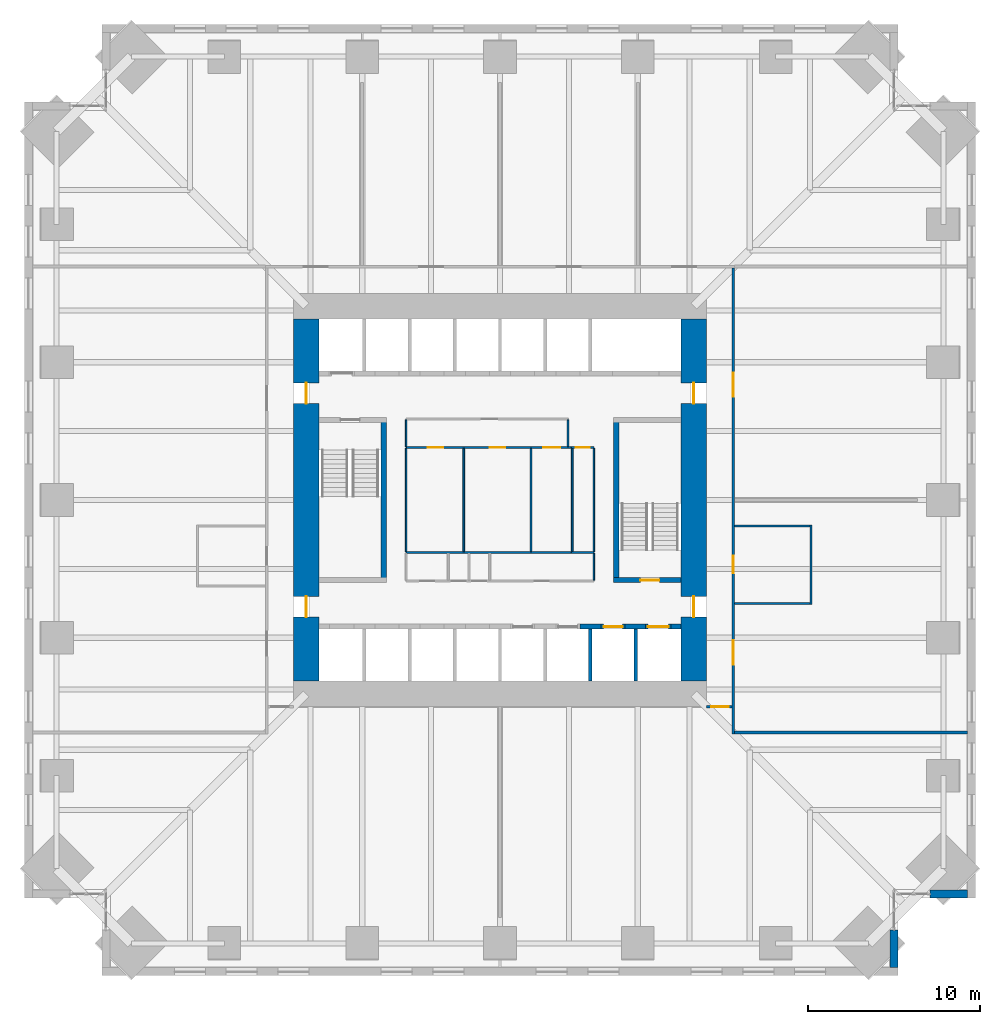
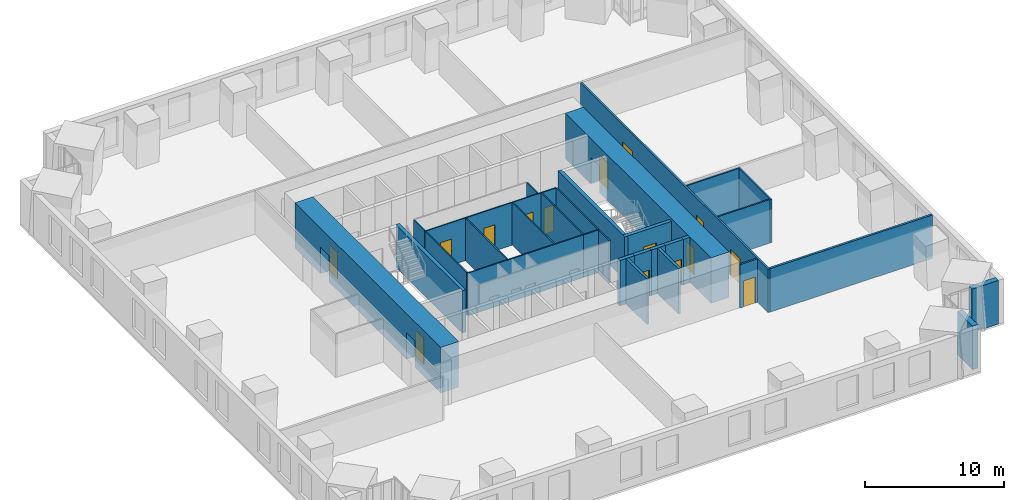
# One storey, part 13 of 16: 32 walls, 15 doors, 15 openings.
"""IFC4 building model written with IfcOpenShell, lengths in metres."""

from ifc_helpers import new_model, si_unit, direction, frame, frame_2d, origin, place, context, subcontext, project, spatial, rectangle, extrude, material, layer, layer_set, type_object, element, fill, save


model = new_model("IFC4")

# Units and contexts
model_context = context("Model", 3, precision=1e-05, world=origin(), true_north=direction((0.0, 1.0)))
body_context = subcontext(model_context, "Body", "Model", "MODEL_VIEW")
ifc_project = project(units=[si_unit("LENGTHUNIT", "METRE"), si_unit("AREAUNIT", "SQUARE_METRE"), si_unit("VOLUMEUNIT", "CUBIC_METRE"), si_unit("PLANEANGLEUNIT", "RADIAN"), si_unit("MASSUNIT", "GRAM", prefix="KILO")], contexts=[model_context])

# Site, building, storey
site_placement = place(None, origin())
site = spatial("IfcSite", under=ifc_project, at=site_placement, CompositionType="ELEMENT")
building_placement = place(site_placement, origin())
building = spatial("IfcBuilding", under=site, at=building_placement, Name="Peilmerk Tower", CompositionType="ELEMENT")
storey_placement = place(building_placement, frame((0.0, 0.0, 127.800048828125)))
storey = spatial("IfcBuildingStorey", under=building, at=storey_placement, Name="L25", CompositionType="ELEMENT", Elevation=127.800048828125)

# Walls
ifc_material_1 = material(Name="Precast concrete C45/55, board-marked finish", Category="concrete")
ifc_layer_1 = layer(ifc_material_1, 0.449951171875)
ifc_layer_set_1 = layer_set([ifc_layer_1], Name="Precast concrete C45/55, board-marked finish")
wall_type_1 = type_object("IfcWallType", Name="EW1 450 precast concrete facade wall, board-marked", PredefinedType="SOLIDWALL", material=ifc_layer_set_1)
for number, where, z_axis, x_axis, name in (
    (1, (22.875, -24.95361328125, 0.0), (0.0, 0.0, 1.0), (0.0, -1.0, 0.0), "Facade wall SEA L25"),
    (2, (24.95361328125, -22.875, 0.0), (0.0, 0.0, 1.0), (1.0, 0.0, 0.0), "Facade wall SEB L25"),
):
    element("IfcWall", number, at=place(storey_placement, frame(where, z_axis=z_axis, x_axis=x_axis)), inside=storey, type_object=wall_type_1, Name=name, PredefinedType="SOLIDWALL", context=body_context, shape_type="SweptSolid", body=[
        extrude(rectangle(XDim=2.1962890625, YDim=0.449951171875, at=frame_2d((1.09814453125, 0.0))), origin(), (0.0, 0.0, 1.0), 3.829833984375),
    ])

# Wall, openings, doors
ifc_material_2 = material(Name="Calcium silicate block", Category="masonry")
ifc_layer_2 = layer(ifc_material_2, 0.14990234375)
ifc_layer_set_2 = layer_set([ifc_layer_2], Name="Calcium silicate block")
wall_type_2 = type_object("IfcWallType", Name="IW1 150 corridor partition, EI 60", PredefinedType="PARTITIONING", material=ifc_layer_set_2)
wall_1_placement = place(storey_placement, frame((13.550048828125, -13.574951171875, 0.0), z_axis=(0.0, 0.0, 1.0), x_axis=(0.0, 1.0, 0.0)))
wall_1 = element("IfcWall", 3, at=wall_1_placement, inside=storey, type_object=wall_type_2, Name="Corridor wall E L25", PredefinedType="PARTITIONING", context=body_context, shape_type="SweptSolid", body=[
    extrude(rectangle(XDim=27.050048828125, YDim=0.14990234375, at=frame_2d((13.52490234375, 0.0))), origin(), (0.0, 0.0, 1.0), 3.829833984375),
])
opening_1_placement = place(wall_1_placement, frame((4.02490234375, 0.0, 0.0)))
opening_1 = element("IfcOpeningElement", 4, at=opening_1_placement, cuts=wall_1, Name="Opening D8", PredefinedType="OPENING", context=body_context, shape_type="SweptSolid", body=[
    extrude(rectangle(XDim=1.39990234375, YDim=2.300048828125, at=frame_2d((0.699951171875, 1.14990234375))), frame((0.0, 0.0849609375, 0.0), z_axis=(0.0, -1.0, 0.0), x_axis=(1.0, 0.0, 0.0)), (0.0, 0.0, 1.0), 0.169921875),
])
opening_2_placement = place(wall_1_placement, frame((19.574951171875, 0.0, 0.0)))
opening_2 = element("IfcOpeningElement", 5, at=opening_2_placement, cuts=wall_1, Name="Opening D8", PredefinedType="OPENING", context=body_context, shape_type="SweptSolid", body=[
    extrude(rectangle(XDim=1.39990234375, YDim=2.300048828125, at=frame_2d((0.699951171875, 1.14990234375))), frame((0.0, 0.0849609375, 0.0), z_axis=(0.0, -1.0, 0.0), x_axis=(1.0, 0.0, 0.0)), (0.0, 0.0, 1.0), 0.169921875),
])
opening_3_placement = place(wall_1_placement, frame((9.324951171875, 0.0, 0.0)))
opening_3 = element("IfcOpeningElement", 6, at=opening_3_placement, cuts=wall_1, Name="Opening D1", PredefinedType="OPENING", context=body_context, shape_type="SweptSolid", body=[
    extrude(rectangle(XDim=1.0, YDim=2.300048828125, at=frame_2d((0.5, 1.14990234375))), frame((0.0, 0.0849609375, 0.0), z_axis=(0.0, -1.0, 0.0), x_axis=(1.0, 0.0, 0.0)), (0.0, 0.0, 1.0), 0.169921875),
])
ifc_material_3 = material(Name="Timber door in steel frame", Category="steel")
door_type_1 = type_object("IfcDoorType", Name="D1 1000x2300 room door, EI2 30", OperationType="SINGLE_SWING_LEFT", PredefinedType="DOOR", material=ifc_material_3)
door_1_placement = place(opening_3_placement, frame((1.0, 0.0, 0.0), z_axis=(0.0, 0.0, 1.0), x_axis=(-1.0, 0.0, 0.0)))
door_1 = element("IfcDoor", 7, at=door_1_placement, inside=storey, type_object=door_type_1, Name="Door Meeting room L25", OperationType="SINGLE_SWING_LEFT", OverallHeight=2.300048828125, OverallWidth=1.0, PredefinedType="DOOR", context=body_context, shape_type="SweptSolid", body=[
    extrude(rectangle(XDim=1.0, YDim=2.300048828125, at=frame_2d((0.5, 1.14990234375))), frame((0.0, 0.02490234375, 0.0), z_axis=(0.0, -1.0, 0.0), x_axis=(1.0, 0.0, 0.0)), (0.0, 0.0, 1.0), 0.050048828125),
])
fill(opening_3, door_1)
door_type_2 = type_object("IfcDoorType", Name="D8 1400x2300 leaf-and-a-half door, EI2 30", OperationType="DOUBLE_DOOR_SINGLE_SWING", PredefinedType="DOOR", material=ifc_material_3)
door_2_placement = place(opening_1_placement, frame((1.39990234375, 0.0, 0.0), z_axis=(0.0, 0.0, 1.0), x_axis=(-1.0, 0.0, 0.0)))
door_2 = element("IfcDoor", 8, at=door_2_placement, inside=storey, type_object=door_type_2, Name="Door Tenant suite L25", OperationType="DOUBLE_DOOR_SINGLE_SWING", OverallHeight=2.300048828125, OverallWidth=1.39990234375, PredefinedType="DOOR", context=body_context, shape_type="SweptSolid", body=[
    extrude(rectangle(XDim=1.39990234375, YDim=2.300048828125, at=frame_2d((0.699951171875, 1.14990234375))), frame((0.0, 0.02490234375, 0.0), z_axis=(0.0, -1.0, 0.0), x_axis=(1.0, 0.0, 0.0)), (0.0, 0.0, 1.0), 0.050048828125),
])
fill(opening_1, door_2)
door_3_placement = place(opening_2_placement, frame((1.39990234375, 0.0, 0.0), z_axis=(0.0, 0.0, 1.0), x_axis=(-1.0, 0.0, 0.0)))
door_3 = element("IfcDoor", 9, at=door_3_placement, inside=storey, type_object=door_type_2, Name="Door Tenant suite L25", OperationType="DOUBLE_DOOR_SINGLE_SWING", OverallHeight=2.300048828125, OverallWidth=1.39990234375, PredefinedType="DOOR", context=body_context, shape_type="SweptSolid", body=[
    extrude(rectangle(XDim=1.39990234375, YDim=2.300048828125, at=frame_2d((0.699951171875, 1.14990234375))), frame((0.0, 0.02490234375, 0.0), z_axis=(0.0, -1.0, 0.0), x_axis=(1.0, 0.0, 0.0)), (0.0, 0.0, 1.0), 0.050048828125),
])
fill(opening_2, door_3)

# Wall, opening, door
wall_2_placement = place(storey_placement, frame((13.47509765625, -12.0, 0.0), z_axis=(0.0, 0.0, 1.0), x_axis=(-1.0, 0.0, 0.0)))
wall_2 = element("IfcWall", 10, at=wall_2_placement, inside=storey, type_object=wall_type_2, Name="Corridor wall SE L25", PredefinedType="PARTITIONING", context=body_context, shape_type="SweptSolid", body=[
    extrude(rectangle(XDim=1.47509765625, YDim=0.14990234375, at=frame_2d((0.737548828125, 0.0))), origin(), (0.0, 0.0, 1.0), 3.829833984375),
])
opening_4_placement = place(wall_2_placement, frame((0.199951171875, 0.0, 0.0)))
opening_4 = element("IfcOpeningElement", 11, at=opening_4_placement, cuts=wall_2, Name="Opening D1", PredefinedType="OPENING", context=body_context, shape_type="SweptSolid", body=[
    extrude(rectangle(XDim=1.0, YDim=2.300048828125, at=frame_2d((0.5, 1.14990234375))), frame((0.0, 0.0849609375, 0.0), z_axis=(0.0, -1.0, 0.0), x_axis=(1.0, 0.0, 0.0)), (0.0, 0.0, 1.0), 0.169921875),
])
door_4_placement = place(opening_4_placement, origin())
door_4 = element("IfcDoor", 12, at=door_4_placement, inside=storey, type_object=door_type_1, Name="Door Tenant suite L25", OperationType="SINGLE_SWING_LEFT", OverallHeight=2.300048828125, OverallWidth=1.0, PredefinedType="DOOR", context=body_context, shape_type="SweptSolid", body=[
    extrude(rectangle(XDim=1.0, YDim=2.300048828125, at=frame_2d((0.5, 1.14990234375))), frame((0.0, 0.02490234375, 0.0), z_axis=(0.0, -1.0, 0.0), x_axis=(1.0, 0.0, 0.0)), (0.0, 0.0, 1.0), 0.050048828125),
])
fill(opening_4, door_4)

# Walls
ifc_material_4 = material(Name="Concrete C35/45", Category="concrete")
ifc_layer_3 = layer(ifc_material_4, 0.300048828125)
ifc_layer_set_3 = layer_set([ifc_layer_3], Name="Concrete C35/45")
wall_type_3 = type_object("IfcWallType", Name="IW3 300 concrete stair enclosure wall, EI 120", PredefinedType="SOLIDWALL", material=ifc_layer_set_3)
for number, where, z_axis, x_axis, name in (
    (13, (-6.75, -4.800048828125, 0.0), (0.0, 0.0, 1.0), (0.0, 1.0, 0.0), "Stair 1 enclosure L25"),
    (14, (6.75, -4.800048828125, 0.0), (0.0, 0.0, 1.0), (0.0, 1.0, 0.0), "Stair 2 enclosure L25"),
):
    element("IfcWall", number, at=place(storey_placement, frame(where, z_axis=z_axis, x_axis=x_axis)), inside=storey, type_object=wall_type_3, Name=name, PredefinedType="SOLIDWALL", context=body_context, shape_type="SweptSolid", body=[
        extrude(rectangle(XDim=9.60009765625, YDim=0.300048828125, at=frame_2d((4.800048828125, 0.0))), origin(), (0.0, 0.0, 1.0), 3.75),
    ])

# Wall, opening, door
wall_3_placement = place(storey_placement, frame((10.5, -4.64990234375, 0.0), z_axis=(0.0, 0.0, 1.0), x_axis=(-1.0, 0.0, 0.0)))
wall_3 = element("IfcWall", 15, at=wall_3_placement, inside=storey, type_object=wall_type_3, Name="Stair 2 enclosure L25", PredefinedType="SOLIDWALL", context=body_context, shape_type="SweptSolid", body=[
    extrude(rectangle(XDim=3.89990234375, YDim=0.300048828125, at=frame_2d((1.949951171875, 0.0))), origin(), (0.0, 0.0, 1.0), 3.75),
])
opening_5_placement = place(wall_3_placement, frame((1.25, 0.0, 0.0)))
opening_5 = element("IfcOpeningElement", 16, at=opening_5_placement, cuts=wall_3, Name="Opening D4", PredefinedType="OPENING", context=body_context, shape_type="SweptSolid", body=[
    extrude(rectangle(XDim=1.10009765625, YDim=2.300048828125, at=frame_2d((0.550048828125, 1.14990234375))), frame((0.0, 0.159912109375, 0.0), z_axis=(0.0, -1.0, 0.0), x_axis=(1.0, 0.0, 0.0)), (0.0, 0.0, 1.0), 0.320068359375),
])
ifc_material_5 = material(Name="Steel door in steel frame", Category="steel")
door_type_3 = type_object("IfcDoorType", Name="D4 1100x2300 stair door, EI2 60", OperationType="SINGLE_SWING_RIGHT", PredefinedType="DOOR", material=ifc_material_5)
door_5_placement = place(opening_5_placement, frame((1.10009765625, 0.0, 0.0), z_axis=(0.0, 0.0, 1.0), x_axis=(-1.0, 0.0, 0.0)))
door_5 = element("IfcDoor", 17, at=door_5_placement, inside=storey, type_object=door_type_3, Name="Stair 2 door L25", OperationType="SINGLE_SWING_RIGHT", OverallHeight=2.300048828125, OverallWidth=1.10009765625, PredefinedType="DOOR", context=body_context, shape_type="SweptSolid", body=[
    extrude(rectangle(XDim=1.10009765625, YDim=2.300048828125, at=frame_2d((0.550048828125, 1.14990234375))), frame((0.0, 0.02490234375, 0.0), z_axis=(0.0, -1.0, 0.0), x_axis=(1.0, 0.0, 0.0)), (0.0, 0.0, 1.0), 0.050048828125),
])
fill(opening_5, door_5)

# Wall, openings, doors
ifc_material_6 = material(Name="Plasterboard on steel studs", Category="steel")
ifc_layer_4 = layer(ifc_material_6, 0.10009765625)
ifc_layer_set_4 = layer_set([ifc_layer_4], Name="Plasterboard on steel studs")
wall_type_4 = type_object("IfcWallType", Name="IW4 100 WC partition", PredefinedType="PARTITIONING", material=ifc_layer_set_4)
wall_4_placement = place(storey_placement, frame((-5.449951171875, 3.050048828125, 0.0), z_axis=(0.0, 0.0, 1.0), x_axis=(1.0, 0.0, 0.0)))
wall_4 = element("IfcWall", 18, at=wall_4_placement, inside=storey, type_object=wall_type_4, Name="WC wall L25", PredefinedType="PARTITIONING", context=body_context, shape_type="SweptSolid", body=[
    extrude(rectangle(XDim=9.599853515625, YDim=0.10009765625, at=frame_2d((4.7998046875, 0.0))), origin(), (0.0, 0.0, 1.0), 3.75),
])
opening_6_placement = place(wall_4_placement, frame((1.25, 0.0, 0.0)))
opening_6 = element("IfcOpeningElement", 19, at=opening_6_placement, cuts=wall_4, Name="Opening D5", PredefinedType="OPENING", context=body_context, shape_type="SweptSolid", body=[
    extrude(rectangle(XDim=0.89990234375, YDim=2.300048828125, at=frame_2d((0.449951171875, 1.14990234375))), frame((0.0, 0.06005859375, 0.0), z_axis=(0.0, -1.0, 0.0), x_axis=(1.0, 0.0, 0.0)), (0.0, 0.0, 1.0), 0.1201171875),
])
opening_7_placement = place(wall_4_placement, frame((4.85009765625, 0.0, 0.0)))
opening_7 = element("IfcOpeningElement", 20, at=opening_7_placement, cuts=wall_4, Name="Opening D5", PredefinedType="OPENING", context=body_context, shape_type="SweptSolid", body=[
    extrude(rectangle(XDim=0.89990234375, YDim=2.300048828125, at=frame_2d((0.449951171875, 1.14990234375))), frame((0.0, 0.06005859375, 0.0), z_axis=(0.0, -1.0, 0.0), x_axis=(1.0, 0.0, 0.0)), (0.0, 0.0, 1.0), 0.1201171875),
])
opening_8_placement = place(wall_4_placement, frame((7.949951171875, 0.0, 0.0)))
opening_8 = element("IfcOpeningElement", 21, at=opening_8_placement, cuts=wall_4, Name="Opening D6", PredefinedType="OPENING", context=body_context, shape_type="SweptSolid", body=[
    extrude(rectangle(XDim=1.0, YDim=2.300048828125, at=frame_2d((0.5, 1.14990234375))), frame((0.0, 0.06005859375, 0.0), z_axis=(0.0, -1.0, 0.0), x_axis=(1.0, 0.0, 0.0)), (0.0, 0.0, 1.0), 0.1201171875),
])
door_type_4 = type_object("IfcDoorType", Name="D5 900x2300 WC door", OperationType="SINGLE_SWING_LEFT", PredefinedType="DOOR", material=ifc_material_3)
door_6_placement = place(opening_6_placement, frame((0.89990234375, 0.0, 0.0), z_axis=(0.0, 0.0, 1.0), x_axis=(-1.0, 0.0, 0.0)))
door_6 = element("IfcDoor", 22, at=door_6_placement, inside=storey, type_object=door_type_4, Name="Female toilets door L25", OperationType="SINGLE_SWING_LEFT", OverallHeight=2.300048828125, OverallWidth=0.89990234375, PredefinedType="DOOR", context=body_context, shape_type="SweptSolid", body=[
    extrude(rectangle(XDim=0.89990234375, YDim=2.300048828125, at=frame_2d((0.449951171875, 1.14990234375))), frame((0.0, 0.02490234375, 0.0), z_axis=(0.0, -1.0, 0.0), x_axis=(1.0, 0.0, 0.0)), (0.0, 0.0, 1.0), 0.050048828125),
])
fill(opening_6, door_6)
door_7_placement = place(opening_7_placement, frame((0.89990234375, 0.0, 0.0), z_axis=(0.0, 0.0, 1.0), x_axis=(-1.0, 0.0, 0.0)))
door_7 = element("IfcDoor", 23, at=door_7_placement, inside=storey, type_object=door_type_4, Name="Male toilets door L25", OperationType="SINGLE_SWING_LEFT", OverallHeight=2.300048828125, OverallWidth=0.89990234375, PredefinedType="DOOR", context=body_context, shape_type="SweptSolid", body=[
    extrude(rectangle(XDim=0.89990234375, YDim=2.300048828125, at=frame_2d((0.449951171875, 1.14990234375))), frame((0.0, 0.02490234375, 0.0), z_axis=(0.0, -1.0, 0.0), x_axis=(1.0, 0.0, 0.0)), (0.0, 0.0, 1.0), 0.050048828125),
])
fill(opening_7, door_7)
door_type_5 = type_object("IfcDoorType", Name="D6 1000x2300 accessible WC door", OperationType="SLIDING_TO_LEFT", PredefinedType="DOOR", material=ifc_material_3)
door_8_placement = place(opening_8_placement, frame((1.0, 0.0, 0.0), z_axis=(0.0, 0.0, 1.0), x_axis=(-1.0, 0.0, 0.0)))
door_8 = element("IfcDoor", 24, at=door_8_placement, inside=storey, type_object=door_type_5, Name="Accessible WC door L25", OperationType="SLIDING_TO_LEFT", OverallHeight=2.300048828125, OverallWidth=1.0, PredefinedType="DOOR", context=body_context, shape_type="SweptSolid", body=[
    extrude(rectangle(XDim=1.0, YDim=2.300048828125, at=frame_2d((0.5, 1.14990234375))), frame((0.0, 0.02490234375, 0.0), z_axis=(0.0, -1.0, 0.0), x_axis=(1.0, 0.0, 0.0)), (0.0, 0.0, 1.0), 0.050048828125),
])
fill(opening_8, door_8)

# Walls
wall_5_placement = place(storey_placement, frame((4.14990234375, -3.050048828125, 0.0), z_axis=(0.0, 0.0, 1.0), x_axis=(-1.0, 0.0, 0.0)))
element("IfcWall", 25, at=wall_5_placement, inside=storey, type_object=wall_type_4, Name="WC wall L25", PredefinedType="PARTITIONING", context=body_context, shape_type="SweptSolid", body=[
    extrude(rectangle(XDim=9.599853515625, YDim=0.10009765625, at=frame_2d((4.7998046875, 0.0))), origin(), (0.0, 0.0, 1.0), 3.75),
])
for number, where, z_axis, x_axis, name in (
    (26, (-5.449951171875, -3.0, 0.0), (0.0, 0.0, 1.0), (0.0, 1.0, 0.0), "WC wall L25"),
    (27, (-2.10009765625, -3.0, 0.0), (0.0, 0.0, 1.0), (0.0, 1.0, 0.0), "WC wall L25"),
    (28, (1.800048828125, -3.0, 0.0), (0.0, 0.0, 1.0), (0.0, 1.0, 0.0), "WC wall L25"),
):
    element("IfcWall", number, at=place(storey_placement, frame(where, z_axis=z_axis, x_axis=x_axis)), inside=storey, type_object=wall_type_4, Name=name, PredefinedType="PARTITIONING", context=body_context, shape_type="SweptSolid", body=[
        extrude(rectangle(XDim=6.0, YDim=0.10009765625, at=frame_2d((3.0, 0.0))), origin(), (0.0, 0.0, 1.0), 3.75),
    ])

# Wall, opening, door
ifc_material_7 = material(Name="Calcium silicate board on steel studs", Category="steel")
ifc_layer_5 = layer(ifc_material_7, 0.10009765625)
ifc_layer_set_5 = layer_set([ifc_layer_5], Name="Calcium silicate board on steel studs")
wall_type_5 = type_object("IfcWallType", Name="IW5 100 riser enclosure wall, EI 60", PredefinedType="PARTITIONING", material=ifc_layer_set_5)
wall_6_placement = place(storey_placement, frame((4.14990234375, 3.050048828125, 0.0), z_axis=(0.0, 0.0, 1.0), x_axis=(1.0, 0.0, 0.0)))
wall_6 = element("IfcWall", 29, at=wall_6_placement, inside=storey, type_object=wall_type_5, Name="Riser wall L25", PredefinedType="PARTITIONING", context=body_context, shape_type="SweptSolid", body=[
    extrude(rectangle(XDim=1.300048828125, YDim=0.10009765625, at=frame_2d((0.64990234375, 0.0))), origin(), (0.0, 0.0, 1.0), 3.75),
])
opening_9_placement = place(wall_6_placement, frame((0.25, 0.0, 0.0)))
opening_9 = element("IfcOpeningElement", 30, at=opening_9_placement, cuts=wall_6, Name="Opening D7", PredefinedType="OPENING", context=body_context, shape_type="SweptSolid", body=[
    extrude(rectangle(XDim=0.800048828125, YDim=2.300048828125, at=frame_2d((0.39990234375, 1.14990234375))), frame((0.0, 0.06005859375, 0.0), z_axis=(0.0, -1.0, 0.0), x_axis=(1.0, 0.0, 0.0)), (0.0, 0.0, 1.0), 0.1201171875),
])
door_type_6 = type_object("IfcDoorType", Name="D7 800x2300 riser access door, EI2 60", OperationType="SINGLE_SWING_RIGHT", PredefinedType="DOOR", material=ifc_material_5)
door_9_placement = place(opening_9_placement, frame((0.800048828125, 0.0, 0.0), z_axis=(0.0, 0.0, 1.0), x_axis=(-1.0, 0.0, 0.0)))
door_9 = element("IfcDoor", 31, at=door_9_placement, inside=storey, type_object=door_type_6, Name="Plumbing riser door L25", OperationType="SINGLE_SWING_RIGHT", OverallHeight=2.300048828125, OverallWidth=0.800048828125, PredefinedType="DOOR", context=body_context, shape_type="SweptSolid", body=[
    extrude(rectangle(XDim=0.800048828125, YDim=2.300048828125, at=frame_2d((0.39990234375, 1.14990234375))), frame((0.0, 0.02490234375, 0.0), z_axis=(0.0, -1.0, 0.0), x_axis=(1.0, 0.0, 0.0)), (0.0, 0.0, 1.0), 0.050048828125),
])
fill(opening_9, door_9)

# Walls
wall_7_placement = place(storey_placement, frame((5.449951171875, -3.050048828125, 0.0), z_axis=(0.0, 0.0, 1.0), x_axis=(-1.0, 0.0, 0.0)))
element("IfcWall", 32, at=wall_7_placement, inside=storey, type_object=wall_type_5, Name="Riser wall L25", PredefinedType="PARTITIONING", context=body_context, shape_type="SweptSolid", body=[
    extrude(rectangle(XDim=1.300048828125, YDim=0.10009765625, at=frame_2d((0.64990234375, 0.0))), origin(), (0.0, 0.0, 1.0), 3.75),
])
for number, where, z_axis, x_axis, name in (
    (33, (5.449951171875, 3.0, 0.0), (0.0, 0.0, 1.0), (0.0, -1.0, 0.0), "Riser wall L25"),
    (34, (4.199951171875, -3.0, 0.0), (0.0, 0.0, 1.0), (0.0, 1.0, 0.0), "Riser wall L25"),
):
    element("IfcWall", number, at=place(storey_placement, frame(where, z_axis=z_axis, x_axis=x_axis)), inside=storey, type_object=wall_type_5, Name=name, PredefinedType="PARTITIONING", context=body_context, shape_type="SweptSolid", body=[
        extrude(rectangle(XDim=6.0, YDim=0.10009765625, at=frame_2d((3.0, 0.0))), origin(), (0.0, 0.0, 1.0), 3.75),
    ])
wall_8_placement = place(storey_placement, frame((5.449951171875, -3.10009765625, 0.0), z_axis=(0.0, 0.0, 1.0), x_axis=(0.0, -1.0, 0.0)))
element("IfcWall", 35, at=wall_8_placement, inside=storey, type_object=wall_type_5, Name="Riser wall L25", PredefinedType="PARTITIONING", context=body_context, shape_type="SweptSolid", body=[
    extrude(rectangle(XDim=1.5498046875, YDim=0.10009765625, at=frame_2d((0.77490234375, 0.0))), origin(), (0.0, 0.0, 1.0), 3.75),
])
ifc_material_8 = material(Name="Plasterboard on steel studs, double boarded with mineral wool", Category="steel")
ifc_layer_6 = layer(ifc_material_8, 0.125)
ifc_layer_set_6 = layer_set([ifc_layer_6], Name="Plasterboard on steel studs, double boarded with mineral wool")
wall_type_6 = type_object("IfcWallType", Name="IW7 125 acoustic partition, EI 30", PredefinedType="PARTITIONING", material=ifc_layer_set_6)
wall_9_placement = place(storey_placement, frame((18.050048828125, -6.0625, 0.0), z_axis=(0.0, 0.0, 1.0), x_axis=(0.0, 1.0, 0.0)))
element("IfcWall", 36, at=wall_9_placement, inside=storey, type_object=wall_type_6, Name="Acoustic partition Meeting room L25", PredefinedType="PARTITIONING", context=body_context, shape_type="SweptSolid", body=[
    extrude(rectangle(XDim=4.625, YDim=0.125, at=frame_2d((2.3125, 0.0))), origin(), (0.0, 0.0, 1.0), 3.829833984375),
])
for number, where, z_axis, x_axis, name in (
    (37, (13.625, -6.0, 0.0), (0.0, 0.0, 1.0), (1.0, 0.0, 0.0), "Acoustic partition Meeting room L25"),
    (38, (13.625, -1.5, 0.0), (0.0, 0.0, 1.0), (1.0, 0.0, 0.0), "Acoustic partition Meeting room L25"),
):
    element("IfcWall", number, at=place(storey_placement, frame(where, z_axis=z_axis, x_axis=x_axis)), inside=storey, type_object=wall_type_6, Name=name, PredefinedType="PARTITIONING", context=body_context, shape_type="SweptSolid", body=[
        extrude(rectangle(XDim=4.362548828125, YDim=0.125, at=frame_2d((2.18115234375, 0.0))), origin(), (0.0, 0.0, 1.0), 3.829833984375),
    ])
ifc_layer_7 = layer(ifc_material_2, 0.175048828125)
ifc_layer_set_7 = layer_set([ifc_layer_7], Name="Calcium silicate block")
wall_type_7 = type_object("IfcWallType", Name="IW8 175 tenant separating wall, EI 60", PredefinedType="PARTITIONING", material=ifc_layer_set_7)
wall_10_placement = place(storey_placement, frame((27.14990234375, -13.5, 0.0), z_axis=(0.0, 0.0, 1.0), x_axis=(-1.0, 0.0, 0.0)))
element("IfcWall", 39, at=wall_10_placement, inside=storey, type_object=wall_type_7, Name="Tenant separating wall SE L25", PredefinedType="PARTITIONING", context=body_context, shape_type="SweptSolid", body=[
    extrude(rectangle(XDim=13.52490234375, YDim=0.175048828125, at=frame_2d((6.762451171875, 0.0))), origin(), (0.0, 0.0, 1.0), 3.829833984375),
])
ifc_material_9 = material(Name="Fire-resisting plasterboard on steel studs", Category="steel")
ifc_layer_8 = layer(ifc_material_9, 0.10009765625)
ifc_layer_set_8 = layer_set([ifc_layer_8], Name="Fire-resisting plasterboard on steel studs")
wall_type_8 = type_object("IfcWallType", Name="IW9 100 WC lobby wall, EI 30", PredefinedType="PARTITIONING", material=ifc_layer_set_8)
for number, where, z_axis, x_axis, name in (
    (40, (-5.449951171875, 3.10009765625, 0.0), (0.0, 0.0, 1.0), (0.0, 1.0, 0.0), "WC lobby wall L25"),
    (41, (3.949951171875, 3.10009765625, 0.0), (0.0, 0.0, 1.0), (0.0, 1.0, 0.0), "WC lobby wall L25"),
):
    element("IfcWall", number, at=place(storey_placement, frame(where, z_axis=z_axis, x_axis=x_axis)), inside=storey, type_object=wall_type_8, Name=name, PredefinedType="PARTITIONING", context=body_context, shape_type="SweptSolid", body=[
        extrude(rectangle(XDim=1.5498046875, YDim=0.10009765625, at=frame_2d((0.77490234375, 0.0))), origin(), (0.0, 0.0, 1.0), 3.75),
    ])
ifc_layer_9 = layer(ifc_material_2, 0.199951171875)
ifc_layer_set_9 = layer_set([ifc_layer_9], Name="Calcium silicate block")
wall_type_9 = type_object("IfcWallType", Name="SH1 200 shaft dividing wall, EI 120", PredefinedType="PARTITIONING", material=ifc_layer_set_9)
for number, where, z_axis, x_axis, name in (
    (42, (5.25, -10.5, 0.0), (0.0, 0.0, 1.0), (0.0, 1.0, 0.0), "Shaft wall S B2 L25"),
    (43, (7.875, -10.5, 0.0), (0.0, 0.0, 1.0), (0.0, 1.0, 0.0), "Shaft wall S B1 L25"),
):
    element("IfcWall", number, at=place(storey_placement, frame(where, z_axis=z_axis, x_axis=x_axis)), inside=storey, type_object=wall_type_9, Name=name, PredefinedType="PARTITIONING", context=body_context, shape_type="SweptSolid", body=[
        extrude(rectangle(XDim=3.0, YDim=0.199951171875, at=frame_2d((1.5, 0.0))), origin(), (0.0, 0.0, 1.0), 4.0),
    ])

# Wall, opening, door
ifc_layer_10 = layer(ifc_material_2, 0.300048828125)
ifc_layer_set_10 = layer_set([ifc_layer_10], Name="Calcium silicate block")
wall_type_10 = type_object("IfcWallType", Name="SH2 300 lift landing door panel, EI 120", PredefinedType="PARTITIONING", material=ifc_layer_set_10)
wall_11_placement = place(storey_placement, frame((5.862548828125, -7.35009765625, 0.0), z_axis=(0.0, 0.0, 1.0), x_axis=(1.0, 0.0, 0.0)))
wall_11 = element("IfcWall", 44, at=wall_11_placement, inside=storey, type_object=wall_type_10, Name="Lift door panel S B1 L25", PredefinedType="PARTITIONING", context=body_context, shape_type="SweptSolid", body=[
    extrude(rectangle(XDim=1.39990234375, YDim=0.300048828125, at=frame_2d((0.699951171875, 0.0))), origin(), (0.0, 0.0, 1.0), 4.0),
])
opening_10_placement = place(wall_11_placement, frame((0.14990234375, 0.0, 0.0)))
opening_10 = element("IfcOpeningElement", 45, at=opening_10_placement, cuts=wall_11, Name="Opening LD1", PredefinedType="OPENING", context=body_context, shape_type="SweptSolid", body=[
    extrude(rectangle(XDim=1.10009765625, YDim=2.300048828125, at=frame_2d((0.550048828125, 1.14990234375))), frame((0.0, 0.159912109375, 0.0), z_axis=(0.0, -1.0, 0.0), x_axis=(1.0, 0.0, 0.0)), (0.0, 0.0, 1.0), 0.320068359375),
])
ifc_material_10 = material(Name="Stainless steel landing door", Category="steel")
door_type_7 = type_object("IfcDoorType", Name="LD1 1100x2300 lift landing door, sliding, EI2 60", OperationType="SLIDING_TO_LEFT", PredefinedType="DOOR", material=ifc_material_10)
door_10_placement = place(opening_10_placement, origin())
door_10 = element("IfcDoor", 46, at=door_10_placement, inside=storey, type_object=door_type_7, Name="Lift landing door B1 L25", OperationType="SLIDING_TO_LEFT", OverallHeight=2.300048828125, OverallWidth=1.10009765625, PredefinedType="DOOR", context=body_context, shape_type="SweptSolid", body=[
    extrude(rectangle(XDim=1.10009765625, YDim=2.300048828125, at=frame_2d((0.550048828125, 1.14990234375))), frame((0.0, 0.02490234375, 0.0), z_axis=(0.0, -1.0, 0.0), x_axis=(1.0, 0.0, 0.0)), (0.0, 0.0, 1.0), 0.050048828125),
])
fill(opening_10, door_10)

wall_12_placement = place(storey_placement, frame((8.4375, -7.35009765625, 0.0), z_axis=(0.0, 0.0, 1.0), x_axis=(1.0, 0.0, 0.0)))
wall_12 = element("IfcWall", 47, at=wall_12_placement, inside=storey, type_object=wall_type_10, Name="Lift door panel S FL2 L25", PredefinedType="PARTITIONING", context=body_context, shape_type="SweptSolid", body=[
    extrude(rectangle(XDim=1.5, YDim=0.300048828125, at=frame_2d((0.75, 0.0))), origin(), (0.0, 0.0, 1.0), 4.0),
])
opening_11_placement = place(wall_12_placement, frame((0.14990234375, 0.0, 0.0)))
opening_11 = element("IfcOpeningElement", 48, at=opening_11_placement, cuts=wall_12, Name="Opening LD2", PredefinedType="OPENING", context=body_context, shape_type="SweptSolid", body=[
    extrude(rectangle(XDim=1.199951171875, YDim=2.300048828125, at=frame_2d((0.60009765625, 1.14990234375))), frame((0.0, 0.159912109375, 0.0), z_axis=(0.0, -1.0, 0.0), x_axis=(1.0, 0.0, 0.0)), (0.0, 0.0, 1.0), 0.320068359375),
])
door_type_8 = type_object("IfcDoorType", Name="LD2 1200x2300 lift landing door, sliding, EI2 60", OperationType="SLIDING_TO_LEFT", PredefinedType="DOOR", material=ifc_material_10)
door_11_placement = place(opening_11_placement, origin())
door_11 = element("IfcDoor", 49, at=door_11_placement, inside=storey, type_object=door_type_8, Name="Lift landing door FL2 L25", OperationType="SLIDING_TO_LEFT", OverallHeight=2.300048828125, OverallWidth=1.199951171875, PredefinedType="DOOR", context=body_context, shape_type="SweptSolid", body=[
    extrude(rectangle(XDim=1.199951171875, YDim=2.300048828125, at=frame_2d((0.60009765625, 1.14990234375))), frame((0.0, 0.02490234375, 0.0), z_axis=(0.0, -1.0, 0.0), x_axis=(1.0, 0.0, 0.0)), (0.0, 0.0, 1.0), 0.050048828125),
])
fill(opening_11, door_11)

# Wall, openings, doors
ifc_material_11 = material(Name="Concrete C55/67", Category="concrete")
ifc_layer_11 = layer(ifc_material_11, 1.5)
ifc_layer_set_11 = layer_set([ifc_layer_11], Name="Concrete C55/67")
wall_type_11 = type_object("IfcWallType", Name="SW1 1500 core wall", PredefinedType="SHEAR", material=ifc_layer_set_11)
wall_13_placement = place(storey_placement, frame((11.25, 10.5, 0.0), z_axis=(0.0, 0.0, 1.0), x_axis=(0.0, -1.0, 0.0)))
wall_13 = element("IfcWall", 50, at=wall_13_placement, inside=storey, type_object=wall_type_11, Name="Core wall E L25", PredefinedType="SHEAR", context=body_context, shape_type="SweptSolid", body=[
    extrude(rectangle(XDim=21.0, YDim=1.5, at=frame_2d((10.5, 0.0))), origin(), (0.0, 0.0, 1.0), 4.0),
])
opening_12_placement = place(wall_13_placement, frame((3.699951171875, 0.0, 0.0)))
opening_12 = element("IfcOpeningElement", 51, at=opening_12_placement, cuts=wall_13, Name="Opening D3", PredefinedType="OPENING", context=body_context, shape_type="SweptSolid", body=[
    extrude(rectangle(XDim=1.199951171875, YDim=2.300048828125, at=frame_2d((0.60009765625, 1.14990234375))), frame((0.0, 0.760009765625, 0.0), z_axis=(0.0, -1.0, 0.0), x_axis=(1.0, 0.0, 0.0)), (0.0, 0.0, 1.0), 1.52001953125),
])
opening_13_placement = place(wall_13_placement, frame((16.10009765625, 0.0, 0.0)))
opening_13 = element("IfcOpeningElement", 52, at=opening_13_placement, cuts=wall_13, Name="Opening D3", PredefinedType="OPENING", context=body_context, shape_type="SweptSolid", body=[
    extrude(rectangle(XDim=1.199951171875, YDim=2.300048828125, at=frame_2d((0.60009765625, 1.14990234375))), frame((0.0, 0.760009765625, 0.0), z_axis=(0.0, -1.0, 0.0), x_axis=(1.0, 0.0, 0.0)), (0.0, 0.0, 1.0), 1.52001953125),
])
door_type_9 = type_object("IfcDoorType", Name="D3 1200x2300 core door, EI2 60", OperationType="SINGLE_SWING_LEFT", PredefinedType="DOOR", material=ifc_material_5)
door_12_placement = place(opening_12_placement, frame((1.199951171875, 0.0, 0.0), z_axis=(0.0, 0.0, 1.0), x_axis=(-1.0, 0.0, 0.0)))
door_12 = element("IfcDoor", 53, at=door_12_placement, inside=storey, type_object=door_type_9, Name="Core door L25", OperationType="SINGLE_SWING_LEFT", OverallHeight=2.300048828125, OverallWidth=1.199951171875, PredefinedType="DOOR", context=body_context, shape_type="SweptSolid", body=[
    extrude(rectangle(XDim=1.199951171875, YDim=2.300048828125, at=frame_2d((0.60009765625, 1.14990234375))), frame((0.0, 0.02490234375, 0.0), z_axis=(0.0, -1.0, 0.0), x_axis=(1.0, 0.0, 0.0)), (0.0, 0.0, 1.0), 0.050048828125),
])
fill(opening_12, door_12)
door_13_placement = place(opening_13_placement, frame((1.199951171875, 0.0, 0.0), z_axis=(0.0, 0.0, 1.0), x_axis=(-1.0, 0.0, 0.0)))
door_13 = element("IfcDoor", 54, at=door_13_placement, inside=storey, type_object=door_type_9, Name="Core door L25", OperationType="SINGLE_SWING_LEFT", OverallHeight=2.300048828125, OverallWidth=1.199951171875, PredefinedType="DOOR", context=body_context, shape_type="SweptSolid", body=[
    extrude(rectangle(XDim=1.199951171875, YDim=2.300048828125, at=frame_2d((0.60009765625, 1.14990234375))), frame((0.0, 0.02490234375, 0.0), z_axis=(0.0, -1.0, 0.0), x_axis=(1.0, 0.0, 0.0)), (0.0, 0.0, 1.0), 0.050048828125),
])
fill(opening_13, door_13)

wall_14_placement = place(storey_placement, frame((-11.25, -10.5, 0.0), z_axis=(0.0, 0.0, 1.0), x_axis=(0.0, 1.0, 0.0)))
wall_14 = element("IfcWall", 55, at=wall_14_placement, inside=storey, type_object=wall_type_11, Name="Core wall W L25", PredefinedType="SHEAR", context=body_context, shape_type="SweptSolid", body=[
    extrude(rectangle(XDim=21.0, YDim=1.5, at=frame_2d((10.5, 0.0))), origin(), (0.0, 0.0, 1.0), 4.0),
])
opening_14_placement = place(wall_14_placement, frame((16.10009765625, 0.0, 0.0)))
opening_14 = element("IfcOpeningElement", 56, at=opening_14_placement, cuts=wall_14, Name="Opening D3", PredefinedType="OPENING", context=body_context, shape_type="SweptSolid", body=[
    extrude(rectangle(XDim=1.199951171875, YDim=2.300048828125, at=frame_2d((0.60009765625, 1.14990234375))), frame((0.0, 0.760009765625, 0.0), z_axis=(0.0, -1.0, 0.0), x_axis=(1.0, 0.0, 0.0)), (0.0, 0.0, 1.0), 1.52001953125),
])
opening_15_placement = place(wall_14_placement, frame((3.699951171875, 0.0, 0.0)))
opening_15 = element("IfcOpeningElement", 57, at=opening_15_placement, cuts=wall_14, Name="Opening D3", PredefinedType="OPENING", context=body_context, shape_type="SweptSolid", body=[
    extrude(rectangle(XDim=1.199951171875, YDim=2.300048828125, at=frame_2d((0.60009765625, 1.14990234375))), frame((0.0, 0.760009765625, 0.0), z_axis=(0.0, -1.0, 0.0), x_axis=(1.0, 0.0, 0.0)), (0.0, 0.0, 1.0), 1.52001953125),
])
door_14_placement = place(opening_14_placement, frame((1.199951171875, 0.0, 0.0), z_axis=(0.0, 0.0, 1.0), x_axis=(-1.0, 0.0, 0.0)))
door_14 = element("IfcDoor", 58, at=door_14_placement, inside=storey, type_object=door_type_9, Name="Core door L25", OperationType="SINGLE_SWING_LEFT", OverallHeight=2.300048828125, OverallWidth=1.199951171875, PredefinedType="DOOR", context=body_context, shape_type="SweptSolid", body=[
    extrude(rectangle(XDim=1.199951171875, YDim=2.300048828125, at=frame_2d((0.60009765625, 1.14990234375))), frame((0.0, 0.02490234375, 0.0), z_axis=(0.0, -1.0, 0.0), x_axis=(1.0, 0.0, 0.0)), (0.0, 0.0, 1.0), 0.050048828125),
])
fill(opening_14, door_14)
door_15_placement = place(opening_15_placement, frame((1.199951171875, 0.0, 0.0), z_axis=(0.0, 0.0, 1.0), x_axis=(-1.0, 0.0, 0.0)))
door_15 = element("IfcDoor", 59, at=door_15_placement, inside=storey, type_object=door_type_9, Name="Core door L25", OperationType="SINGLE_SWING_LEFT", OverallHeight=2.300048828125, OverallWidth=1.199951171875, PredefinedType="DOOR", context=body_context, shape_type="SweptSolid", body=[
    extrude(rectangle(XDim=1.199951171875, YDim=2.300048828125, at=frame_2d((0.60009765625, 1.14990234375))), frame((0.0, 0.02490234375, 0.0), z_axis=(0.0, -1.0, 0.0), x_axis=(1.0, 0.0, 0.0)), (0.0, 0.0, 1.0), 0.050048828125),
])
fill(opening_15, door_15)

# Walls
ifc_layer_12 = layer(ifc_material_11, 0.300048828125)
ifc_layer_set_12 = layer_set([ifc_layer_12], Name="Concrete C55/67")
wall_type_12 = type_object("IfcWallType", Name="SW2 300 lift bank pier", PredefinedType="SHEAR", material=ifc_layer_set_12)
wall_15_placement = place(storey_placement, frame((4.637451171875, -7.35009765625, 0.0), z_axis=(0.0, 0.0, 1.0), x_axis=(1.0, 0.0, 0.0)))
element("IfcWall", 60, at=wall_15_placement, inside=storey, type_object=wall_type_12, Name="Lift bank pier S L25", PredefinedType="SHEAR", context=body_context, shape_type="SweptSolid", body=[
    extrude(rectangle(XDim=1.22509765625, YDim=0.300048828125, at=frame_2d((0.612548828125, 0.0))), origin(), (0.0, 0.0, 1.0), 4.0),
])
wall_16_placement = place(storey_placement, frame((7.262451171875, -7.35009765625, 0.0), z_axis=(0.0, 0.0, 1.0), x_axis=(1.0, 0.0, 0.0)))
element("IfcWall", 61, at=wall_16_placement, inside=storey, type_object=wall_type_12, Name="Lift bank pier S L25", PredefinedType="SHEAR", context=body_context, shape_type="SweptSolid", body=[
    extrude(rectangle(XDim=1.175048828125, YDim=0.300048828125, at=frame_2d((0.58740234375, 0.0))), origin(), (0.0, 0.0, 1.0), 4.0),
])
wall_17_placement = place(storey_placement, frame((9.9375, -7.35009765625, 0.0), z_axis=(0.0, 0.0, 1.0), x_axis=(1.0, 0.0, 0.0)))
element("IfcWall", 62, at=wall_17_placement, inside=storey, type_object=wall_type_12, Name="Lift bank pier S L25", PredefinedType="SHEAR", context=body_context, shape_type="SweptSolid", body=[
    extrude(rectangle(XDim=0.5625, YDim=0.300048828125, at=frame_2d((0.28125, 0.0))), origin(), (0.0, 0.0, 1.0), 4.0),
])

save(model, "model.ifc")
